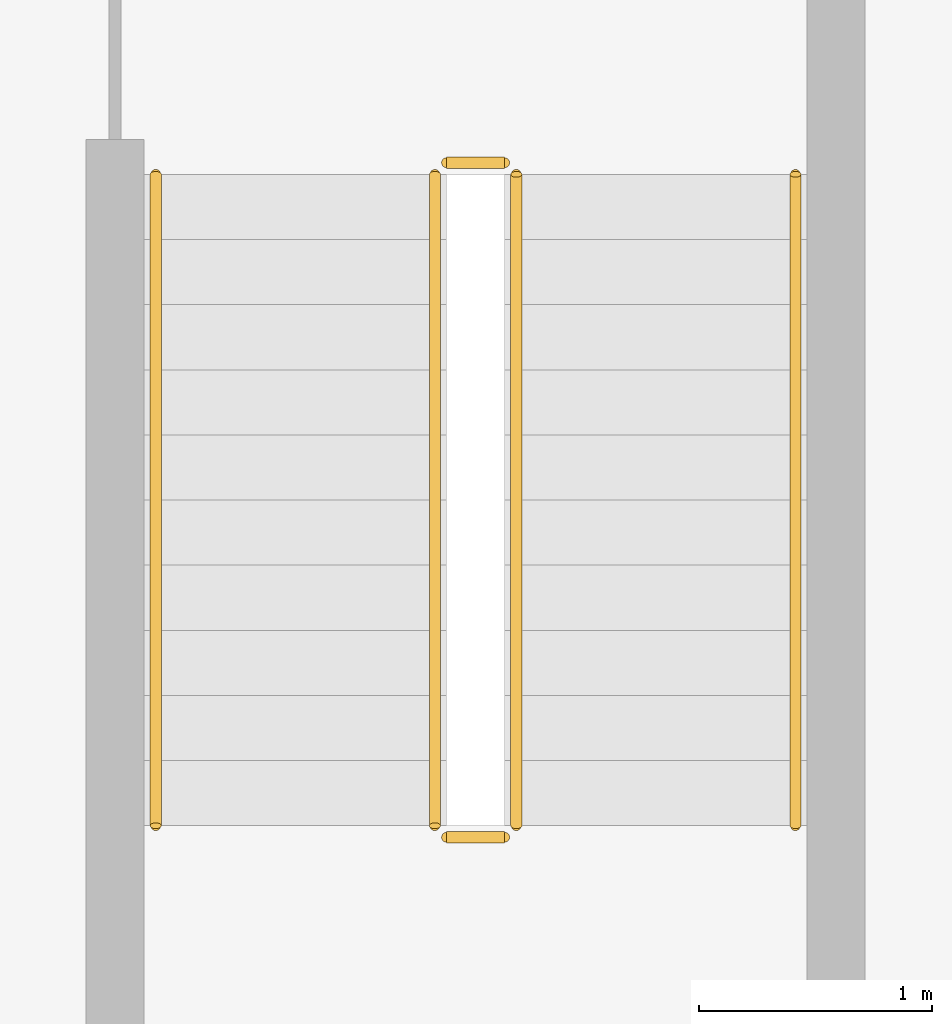
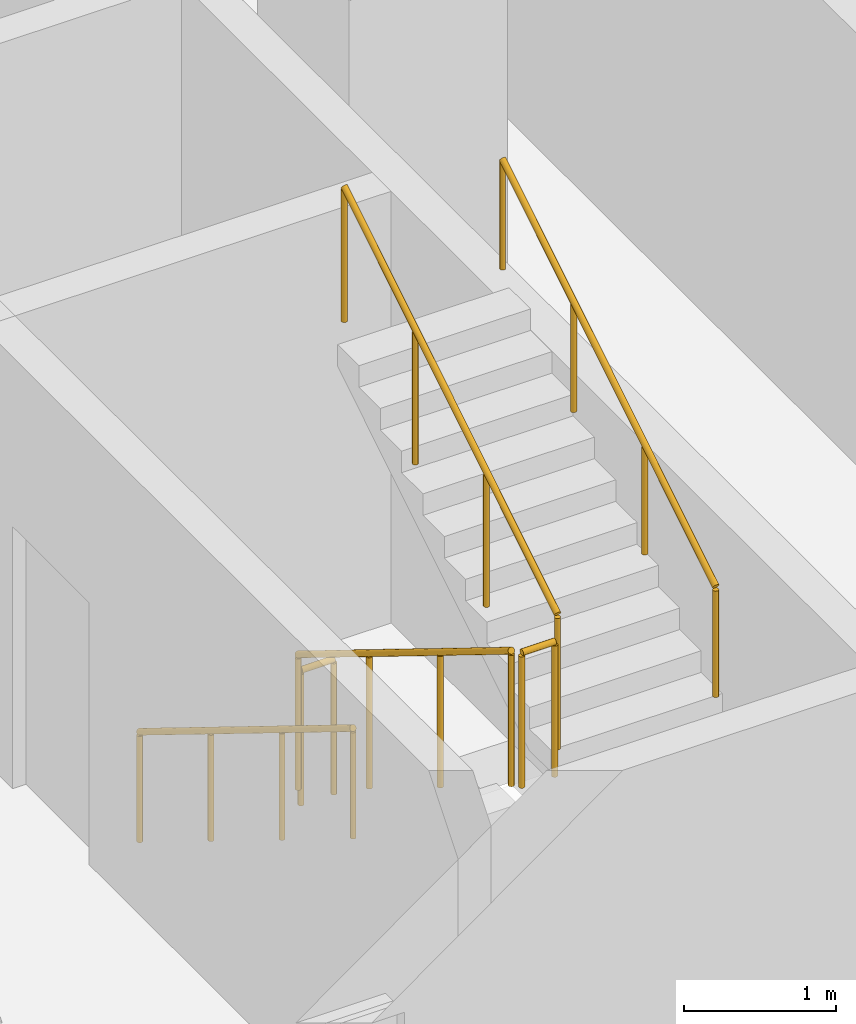
# One storey, part 23 of 27: 6 railings.
"""IFC4 building model written with IfcOpenShell, lengths in metres."""

from ifc_helpers import new_model, si_unit, direction, frame, origin, origin_2d, place, context, subcontext, project, spatial, circle, extrude, material, type_object, element, save


model = new_model("IFC4")

# Units and contexts
model_context = context("Model", 3, precision=1e-05, world=origin(), true_north=direction((0.0, 1.0)))
body_context = subcontext(model_context, "Body", "Model", "MODEL_VIEW")
ifc_project = project(units=[si_unit("LENGTHUNIT", "METRE"), si_unit("AREAUNIT", "SQUARE_METRE"), si_unit("VOLUMEUNIT", "CUBIC_METRE"), si_unit("PLANEANGLEUNIT", "RADIAN"), si_unit("MASSUNIT", "GRAM", prefix="KILO")], contexts=[model_context])

# Site, building, storey
site_placement = place(None, origin())
site = spatial("IfcSite", under=ifc_project, at=site_placement, CompositionType="ELEMENT")
building_placement = place(site_placement, origin())
building = spatial("IfcBuilding", under=site, at=building_placement, Name="Mahtab Terrace Research Tower", CompositionType="ELEMENT")
storey_placement = place(building_placement, frame((0.0, 0.0, 178.199951171875)))
storey = spatial("IfcBuildingStorey", under=building, at=storey_placement, Name="L42", CompositionType="ELEMENT", Elevation=178.199951171875)

# Railings
ifc_material = material(Name="Stainless steel AISI 304", Category="steel")
railing_type_1 = type_object("IfcRailingType", Name="Stair guard 1100", PredefinedType="GUARDRAIL", material=ifc_material)
railing_1_placement = place(storey_placement, frame((2.949951171875, -4.175048828125, 0.1728515625)))
element("IfcRailing", 1, at=railing_1_placement, inside=storey, type_object=railing_type_1, Name="L42 ST2 stair guard 1", PredefinedType="GUARDRAIL", context=body_context, shape_type="SweptSolid", body=[
    extrude(circle(Radius=0.02392578125, at=origin_2d()), frame((0.0, 0.0, 1.076171875), z_axis=(0.0, -0.851089632645, 0.525020415988), x_axis=(1.0, 0.0, 0.0)), (0.0, 0.0, 1.0), 3.2900390625),
    extrude(circle(Radius=0.02099609375, at=origin_2d()), origin(), (0.0, 0.0, 1.0), 1.052001953125),
    extrude(circle(Radius=0.02099609375, at=origin_2d()), frame((0.0, -0.933349609375, 0.57568359375)), (0.0, 0.0, 1.0), 1.052001953125),
    extrude(circle(Radius=0.02099609375, at=origin_2d()), frame((0.0, -1.86669921875, 1.151611328125)), (0.0, 0.0, 1.0), 1.052001953125),
    extrude(circle(Radius=0.02099609375, at=origin_2d()), frame((0.0, -2.800048828125, 1.727294921875)), (0.0, 0.0, 1.0), 1.052001953125),
])
railing_2_placement = place(storey_placement, frame((3.0, -7.02490234375, 1.900146484375)))
element("IfcRailing", 2, at=railing_2_placement, inside=storey, type_object=railing_type_1, Name="L42 ST2 stair guard 2", PredefinedType="GUARDRAIL", context=body_context, shape_type="SweptSolid", body=[
    extrude(circle(Radius=0.02392578125, at=origin_2d()), frame((0.0, 0.0, 1.076171875), z_axis=(1.0, 0.0, 0.0), x_axis=(0.0, 1.0, 0.0)), (0.0, 0.0, 1.0), 0.25),
    extrude(circle(Radius=0.02099609375, at=origin_2d()), origin(), (0.0, 0.0, 1.0), 1.052001953125),
    extrude(circle(Radius=0.02099609375, at=origin_2d()), frame((0.25, 0.0, 0.0)), (0.0, 0.0, 1.0), 1.052001953125),
])
railing_3_placement = place(storey_placement, frame((3.300048828125, -6.97509765625, 2.07275390625)))
element("IfcRailing", 3, at=railing_3_placement, inside=storey, type_object=railing_type_1, Name="L42 ST2 stair guard 3", PredefinedType="GUARDRAIL", context=body_context, shape_type="SweptSolid", body=[
    extrude(circle(Radius=0.02392578125, at=origin_2d()), frame((0.0, 0.0, 1.076171875), z_axis=(0.0, 0.851089632645, 0.525020415988), x_axis=(-1.0, 0.0, 0.0)), (0.0, 0.0, 1.0), 3.2900390625),
    extrude(circle(Radius=0.02099609375, at=origin_2d()), origin(), (0.0, 0.0, 1.0), 1.052001953125),
    extrude(circle(Radius=0.02099609375, at=origin_2d()), frame((0.0, 0.933349609375, 0.57568359375)), (0.0, 0.0, 1.0), 1.052001953125),
    extrude(circle(Radius=0.02099609375, at=origin_2d()), frame((0.0, 1.86669921875, 1.151611328125)), (0.0, 0.0, 1.0), 1.052001953125),
    extrude(circle(Radius=0.02099609375, at=origin_2d()), frame((0.0, 2.800048828125, 1.727294921875)), (0.0, 0.0, 1.0), 1.052001953125),
])
railing_4_placement = place(storey_placement, frame((3.0, -4.125, 0.0)))
element("IfcRailing", 4, at=railing_4_placement, inside=storey, type_object=railing_type_1, Name="L42 ST2 stair guard 4", PredefinedType="GUARDRAIL", context=body_context, shape_type="SweptSolid", body=[
    extrude(circle(Radius=0.02392578125, at=origin_2d()), frame((0.0, 0.0, 1.076171875), z_axis=(1.0, 0.0, 0.0), x_axis=(0.0, 1.0, 0.0)), (0.0, 0.0, 1.0), 0.25),
    extrude(circle(Radius=0.02099609375, at=origin_2d()), origin(), (0.0, 0.0, 1.0), 1.052001953125),
    extrude(circle(Radius=0.02099609375, at=origin_2d()), frame((0.25, 0.0, 0.0)), (0.0, 0.0, 1.0), 1.052001953125),
])
railing_type_2 = type_object("IfcRailingType", Name="Stair handrail 900", PredefinedType="HANDRAIL", material=ifc_material)
railing_5_placement = place(storey_placement, frame((1.75, -4.175048828125, 0.1728515625)))
element("IfcRailing", 5, at=railing_5_placement, inside=storey, type_object=railing_type_2, Name="L42 ST2 stair handrail 1", PredefinedType="HANDRAIL", context=body_context, shape_type="SweptSolid", body=[
    extrude(circle(Radius=0.02392578125, at=origin_2d()), frame((0.0, 0.0, 0.8759765625), z_axis=(0.0, -0.851089632645, 0.525020415988), x_axis=(1.0, 0.0, 0.0)), (0.0, 0.0, 1.0), 3.2900390625),
    extrude(circle(Radius=0.02099609375, at=origin_2d()), origin(), (0.0, 0.0, 1.0), 0.851806640625),
    extrude(circle(Radius=0.02099609375, at=origin_2d()), frame((0.0, -0.933349609375, 0.57568359375)), (0.0, 0.0, 1.0), 0.851806640625),
    extrude(circle(Radius=0.02099609375, at=origin_2d()), frame((0.0, -1.86669921875, 1.151611328125)), (0.0, 0.0, 1.0), 0.851806640625),
    extrude(circle(Radius=0.02099609375, at=origin_2d()), frame((0.0, -2.800048828125, 1.727294921875)), (0.0, 0.0, 1.0), 0.851806640625),
])
railing_6_placement = place(storey_placement, frame((4.5, -6.97509765625, 2.07275390625)))
element("IfcRailing", 6, at=railing_6_placement, inside=storey, type_object=railing_type_2, Name="L42 ST2 stair handrail 2", PredefinedType="HANDRAIL", context=body_context, shape_type="SweptSolid", body=[
    extrude(circle(Radius=0.02392578125, at=origin_2d()), frame((0.0, 0.0, 0.8759765625), z_axis=(0.0, 0.851089632645, 0.525020415988), x_axis=(-1.0, 0.0, 0.0)), (0.0, 0.0, 1.0), 3.2900390625),
    extrude(circle(Radius=0.02099609375, at=origin_2d()), origin(), (0.0, 0.0, 1.0), 0.851806640625),
    extrude(circle(Radius=0.02099609375, at=origin_2d()), frame((0.0, 0.933349609375, 0.57568359375)), (0.0, 0.0, 1.0), 0.851806640625),
    extrude(circle(Radius=0.02099609375, at=origin_2d()), frame((0.0, 1.86669921875, 1.151611328125)), (0.0, 0.0, 1.0), 0.851806640625),
    extrude(circle(Radius=0.02099609375, at=origin_2d()), frame((0.0, 2.800048828125, 1.727294921875)), (0.0, 0.0, 1.0), 0.851806640625),
])

save(model, "model.ifc")
